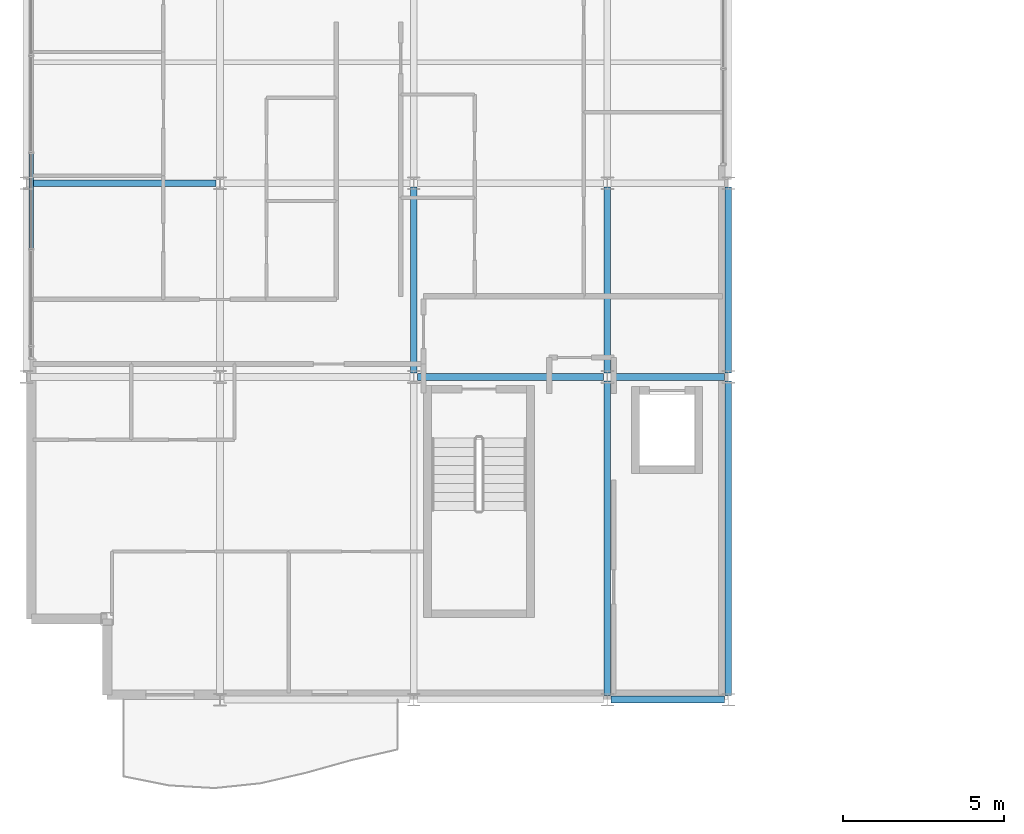
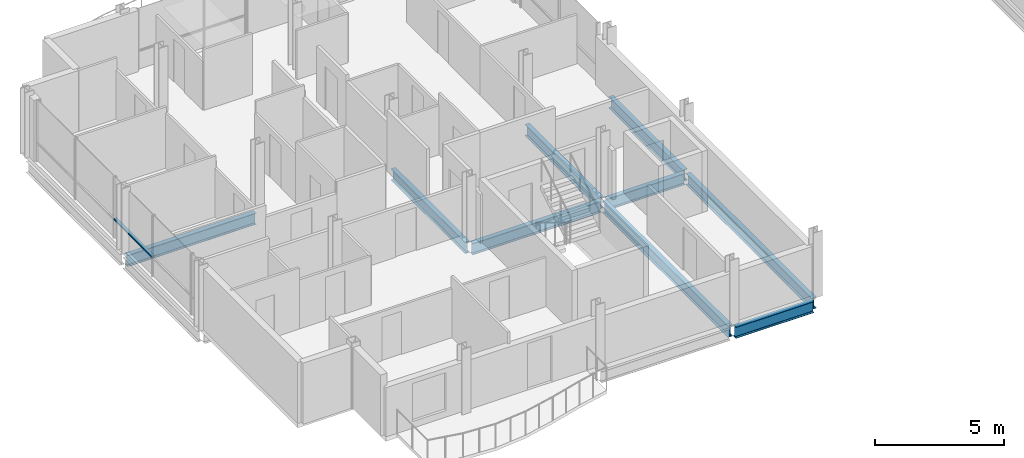
# One storey, part 4 of 27: 9 beams, 1 member, 1 element without a shape of its own.
"""IFC4 building model written with IfcOpenShell, lengths in metres."""

from ifc_helpers import new_model, si_unit, direction, frame, origin, origin_2d, place, context, subcontext, project, spatial, hollow_rectangle, i_section, extrude, material, layer, layer_set, material_profile, profile_set, type_object, element, aggregate, save


model = new_model("IFC4")

# Units and contexts
model_context = context("Model", 3, precision=1e-05, world=origin(), true_north=direction((0.0, 1.0)))
body_context = subcontext(model_context, "Body", "Model", "MODEL_VIEW")
ifc_project = project(units=[si_unit("LENGTHUNIT", "METRE"), si_unit("AREAUNIT", "SQUARE_METRE"), si_unit("VOLUMEUNIT", "CUBIC_METRE"), si_unit("PLANEANGLEUNIT", "RADIAN"), si_unit("MASSUNIT", "GRAM", prefix="KILO")], contexts=[model_context])

# Site, building, storey
site_placement = place(None, origin())
site = spatial("IfcSite", under=ifc_project, at=site_placement, CompositionType="ELEMENT")
building_placement = place(site_placement, origin())
building = spatial("IfcBuilding", under=site, at=building_placement, Name="Brevholm Reach", CompositionType="ELEMENT")
storey_placement = place(building_placement, frame((0.0, 0.0, 195.60009765625)))
storey = spatial("IfcBuildingStorey", under=building, at=storey_placement, Name="L59", CompositionType="ELEMENT", Elevation=195.60009765625)

# Beams
ifc_material_1 = material(Name="Structural Steel S355J2", Category="steel")
ifc_material_profile_1 = material_profile(ifc_material_1, i_section(OverallWidth=0.209228515625, OverallDepth=0.533203125, WebThickness=0.010009765625, FlangeThickness=0.015625, FilletRadius=0.0126953125, at=origin_2d()), Name="UKB 533x210x92")
ifc_profile_set_1 = profile_set([ifc_material_profile_1], Name="Structural Steel S355J2")
beam_type_1 = type_object("IfcBeamType", Name="BM-SP533", PredefinedType="SPANDREL", material=ifc_profile_set_1)
beam_1_placement = place(storey_placement, frame((18.1201171875, 0.0, -0.4765625), z_axis=(1.0, 0.0, 0.0), x_axis=(0.0, 1.0, 0.0)))
element("IfcBeam", 1, at=beam_1_placement, inside=storey, type_object=beam_type_1, Name="L59 SP-02 Framing Beam", PredefinedType="SPANDREL", context=body_context, shape_type="SweptSolid", body=[
    extrude(i_section(OverallWidth=0.209228515625, OverallDepth=0.533203125, WebThickness=0.010009765625, FlangeThickness=0.015625, FilletRadius=0.0126953125, at=origin_2d()), origin(), (0.0, 0.0, 1.0), 3.509765625),
])
beam_2_placement = place(storey_placement, frame((21.75, 0.1201171875, -0.4765625), z_axis=(0.0, 1.0, 0.0), x_axis=(-1.0, 0.0, 0.0)))
element("IfcBeam", 2, at=beam_2_placement, inside=storey, type_object=beam_type_1, Name="L59 SP-02 Framing Beam", PredefinedType="SPANDREL", context=body_context, shape_type="SweptSolid", body=[
    extrude(i_section(OverallWidth=0.209228515625, OverallDepth=0.533203125, WebThickness=0.010009765625, FlangeThickness=0.015625, FilletRadius=0.0126953125, at=origin_2d()), origin(), (0.0, 0.0, 1.0), 9.759765625),
])
beam_3_placement = place(storey_placement, frame((21.75, 10.1201171875, -0.4765625), z_axis=(0.0, 1.0, 0.0), x_axis=(-1.0, 0.0, 0.0)))
element("IfcBeam", 3, at=beam_3_placement, inside=storey, type_object=beam_type_1, Name="L59 SP-02 Framing Beam", PredefinedType="SPANDREL", context=body_context, shape_type="SweptSolid", body=[
    extrude(i_section(OverallWidth=0.209228515625, OverallDepth=0.533203125, WebThickness=0.010009765625, FlangeThickness=0.015625, FilletRadius=0.0126953125, at=origin_2d()), origin(), (0.0, 0.0, 1.0), 5.759765625),
])
ifc_material_2 = material(Name="Structural Steel S355J2", Category="steel")
ifc_material_profile_2 = material_profile(ifc_material_2, i_section(OverallWidth=0.210693359375, OverallDepth=0.53955078125, WebThickness=0.01171875, FlangeThickness=0.018798828125, FilletRadius=0.0126953125, at=origin_2d()), Name="UKB 533x210x109")
ifc_profile_set_2 = profile_set([ifc_material_profile_2], Name="Structural Steel S355J2")
beam_type_2 = type_object("IfcBeamType", Name="BM-SP539", PredefinedType="SPANDREL", material=ifc_profile_set_2)
beam_4_placement = place(storey_placement, frame((12.1201171875, 10.0, -0.479736328125), z_axis=(1.0, 0.0, 0.0), x_axis=(0.0, 1.0, 0.0)))
element("IfcBeam", 4, at=beam_4_placement, inside=storey, type_object=beam_type_2, Name="L59 SP-01B Framing Beam", PredefinedType="SPANDREL", context=body_context, shape_type="SweptSolid", body=[
    extrude(i_section(OverallWidth=0.210693359375, OverallDepth=0.53955078125, WebThickness=0.01171875, FlangeThickness=0.018798828125, FilletRadius=0.0126953125, at=origin_2d()), origin(), (0.0, 0.0, 1.0), 5.759765625),
])
beam_5_placement = place(storey_placement, frame((18.1201171875, 10.0, -0.479736328125), z_axis=(1.0, 0.0, 0.0), x_axis=(0.0, 1.0, 0.0)))
element("IfcBeam", 5, at=beam_5_placement, inside=storey, type_object=beam_type_2, Name="L59 SP-01B Framing Beam", PredefinedType="SPANDREL", context=body_context, shape_type="SweptSolid", body=[
    extrude(i_section(OverallWidth=0.210693359375, OverallDepth=0.53955078125, WebThickness=0.01171875, FlangeThickness=0.018798828125, FilletRadius=0.0126953125, at=origin_2d()), origin(), (0.0, 0.0, 1.0), 3.509765625),
])
for number, where, z_axis, x_axis, name in (
    (6, (0.1201171875, 16.0, -0.479736328125), (1.0, 0.0, 0.0), (0.0, 1.0, 0.0), "L59 SP-01B Framing Beam"),
    (7, (12.0, 10.1201171875, -0.479736328125), (0.0, 1.0, 0.0), (-1.0, 0.0, 0.0), "L59 SP-01B Framing Beam"),
):
    element("IfcBeam", number, at=place(storey_placement, frame(where, z_axis=z_axis, x_axis=x_axis)), inside=storey, type_object=beam_type_2, Name=name, PredefinedType="SPANDREL", context=body_context, shape_type="SweptSolid", body=[
        extrude(i_section(OverallWidth=0.210693359375, OverallDepth=0.53955078125, WebThickness=0.01171875, FlangeThickness=0.018798828125, FilletRadius=0.0126953125, at=origin_2d()), origin(), (0.0, 0.0, 1.0), 5.759765625),
    ])
beam_6_placement = place(storey_placement, frame((18.0, 0.1201171875, -0.479736328125), z_axis=(0.0, 1.0, 0.0), x_axis=(-1.0, 0.0, 0.0)))
element("IfcBeam", 8, at=beam_6_placement, inside=storey, type_object=beam_type_2, Name="L59 SP-01B Framing Beam", PredefinedType="SPANDREL", context=body_context, shape_type="SweptSolid", body=[
    extrude(i_section(OverallWidth=0.210693359375, OverallDepth=0.53955078125, WebThickness=0.01171875, FlangeThickness=0.018798828125, FilletRadius=0.0126953125, at=origin_2d()), origin(), (0.0, 0.0, 1.0), 9.759765625),
])
beam_7_placement = place(storey_placement, frame((18.0, 10.1201171875, -0.479736328125), z_axis=(0.0, 1.0, 0.0), x_axis=(-1.0, 0.0, 0.0)))
element("IfcBeam", 9, at=beam_7_placement, inside=storey, type_object=beam_type_2, Name="L59 SP-01B Framing Beam", PredefinedType="SPANDREL", context=body_context, shape_type="SweptSolid", body=[
    extrude(i_section(OverallWidth=0.210693359375, OverallDepth=0.53955078125, WebThickness=0.01171875, FlangeThickness=0.018798828125, FilletRadius=0.0126953125, at=origin_2d()), origin(), (0.0, 0.0, 1.0), 5.759765625),
])

# Curtain wall, member
ifc_material_3 = material(Name="Dark Anodised Aluminium 6063-T6 and Solar-Control Glass", Category="aluminium")
ifc_layer = layer(ifc_material_3, 0.14990234375)
ifc_layer_set = layer_set([ifc_layer], Name="Dark Anodised Aluminium 6063-T6 and Solar-Control Glass")
curtain_wall_type = type_object("IfcCurtainWallType", Name="CW-01", PredefinedType="NOTDEFINED", material=ifc_layer_set)
curtain_wall_placement = place(storey_placement, origin())
curtain_wall = element("IfcCurtainWall", 10, at=curtain_wall_placement, inside=storey, type_object=curtain_wall_type, Name="L59 Curtain Wall CW-01", PredefinedType="NOTDEFINED")
ifc_material_4 = material(Name="Dark Anodised Aluminium 6063-T6", Category="aluminium")
ifc_material_profile_3 = material_profile(ifc_material_4, hollow_rectangle(XDim=0.06494140625, YDim=0.14990234375, WallThickness=0.0048828125, InnerFilletRadius=0.0048828125, OuterFilletRadius=0.010009765625, at=origin_2d()), Name="RHS 150x65x5")
ifc_profile_set_3 = profile_set([ifc_material_profile_3], Name="Dark Anodised Aluminium 6063-T6")
member_type = type_object("IfcMemberType", Name="CWT-150", PredefinedType="NOTDEFINED", material=ifc_profile_set_3)
member_placement = place(storey_placement, frame((0.14990234375, 16.91748046875, 0.89990234375), z_axis=(0.0, -1.0, 0.0), x_axis=(0.0, 0.0, 1.0)))
member = element("IfcMember", 11, at=member_placement, type_object=member_type, Name="CT-150 Transom 3.1", ObjectType="TRANSOM", PredefinedType="USERDEFINED", context=body_context, shape_type="SweptSolid", body=[
    extrude(hollow_rectangle(XDim=0.06494140625, YDim=0.14990234375, WallThickness=0.0048828125, InnerFilletRadius=0.0048828125, OuterFilletRadius=0.010009765625, at=origin_2d()), origin(), (0.0, 0.0, 1.0), 2.93505859375),
])
aggregate(curtain_wall, [member])

save(model, "model.ifc")
